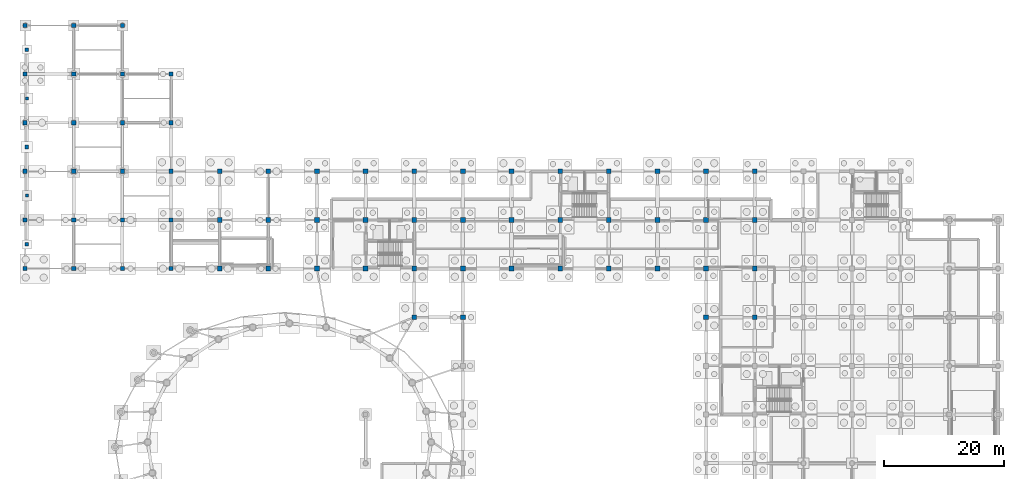
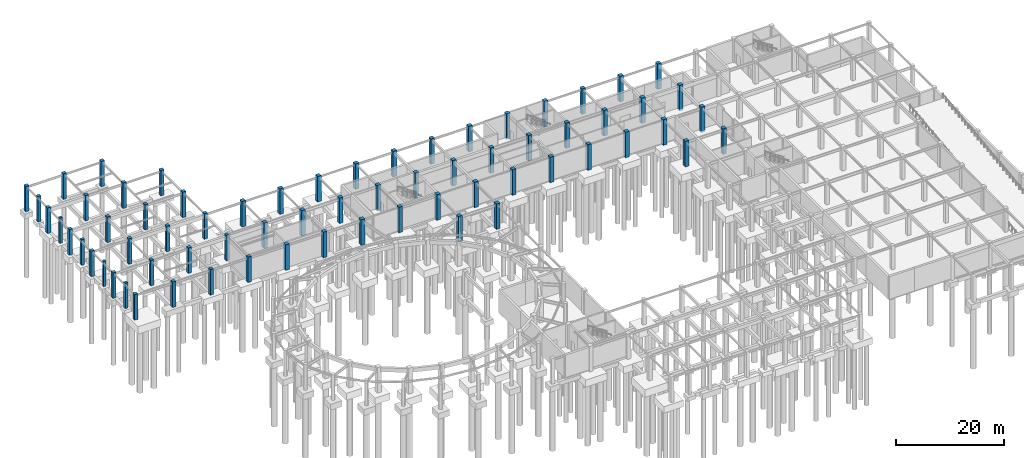
# One storey, part 9 of 26: 68 columns.
"""IFC4 building model written with IfcOpenShell, lengths in metres."""

import ifcopenshell
import ifcopenshell.guid

model = None  # the IFC model being written
_history = None  # IfcOwnerHistory: only IFC2X3 demands one
_inside = {}  # id of a spatial element -> (the spatial element, [elements in it])
_under = {}  # id of a project, library or spatial element -> (it, [spatial elements below it])
_declared = {}  # id of a project -> (the project, [libraries it declares])
_typed = {}  # id of a type object -> (the type object, [elements of that type])
_made_of = {}  # id of a material, layer set ... -> (it, [elements and type objects made of it])


def new_model(schema):
    """Start an empty IFC model of exactly this schema.

    Asked for "IFC4X3", IfcOpenShell would pick the latest addendum, in which some entities
    have other attributes; the version numbers below select the first issue.
    IFC2X3 requires an IfcOwnerHistory on every rooted entity: one is made here for all.
    """
    global model, _history
    if schema == "IFC4X3":
        model = ifcopenshell.file(schema_version=(4, 3, 0, 0))
    else:
        model = ifcopenshell.file(schema=schema)
    _inside.clear()
    _under.clear()
    _declared.clear()
    _typed.clear()
    _made_of.clear()
    _history = None
    if model.schema == "IFC2X3":
        org = make("IfcOrganization", Name="unknown")
        user = make(
            "IfcPersonAndOrganization",
            ThePerson=make("IfcPerson", FamilyName="unknown"),
            TheOrganization=org,
        )
        app = make(
            "IfcApplication",
            ApplicationDeveloper=org,
            Version="unknown",
            ApplicationFullName="unknown",
            ApplicationIdentifier="unknown",
        )
        _history = make(
            "IfcOwnerHistory",
            OwningUser=user,
            OwningApplication=app,
            ChangeAction="ADDED",
            CreationDate=0,
        )
    return model


def make(cls, **values):
    """One entity of the class cls with the attributes given. An attribute that is None is left unset."""
    return model.create_entity(
        cls, **{name: value for name, value in values.items() if value is not None}
    )


def rooted(cls, **values):
    """An entity with a GlobalId (a new one), such as an element, a storey or a relation."""
    return make(cls, GlobalId=ifcopenshell.guid.new(), OwnerHistory=_history, **values)


def si_unit(unit_type, name, prefix=None):
    """IfcSIUnit, for example si_unit("LENGTHUNIT", "METRE", prefix="MILLI")."""
    return make("IfcSIUnit", UnitType=unit_type, Prefix=prefix, Name=name)


def assignment(units):
    """IfcUnitAssignment: the units of a project."""
    return None if units is None else make("IfcUnitAssignment", Units=units)


def point(xyz):
    """IfcCartesianPoint."""
    return None if xyz is None else make("IfcCartesianPoint", Coordinates=xyz)


def direction(xyz):
    """IfcDirection."""
    return None if xyz is None else make("IfcDirection", DirectionRatios=xyz)


def frame(location, z_axis=None, x_axis=None):
    """IfcAxis2Placement3D, a coordinate frame: its origin and axes. An axis left out is left unset."""
    return make(
        "IfcAxis2Placement3D",
        Location=point(location),
        Axis=direction(z_axis),
        RefDirection=direction(x_axis),
    )


def frame_2d(location, x_axis=None):
    """IfcAxis2Placement2D, a coordinate frame in the plane: its origin and x axis."""
    return make(
        "IfcAxis2Placement2D", Location=point(location), RefDirection=direction(x_axis)
    )


def origin():
    """The frame at (0, 0, 0) with its axes left unset."""
    return frame((0.0, 0.0, 0.0))


def origin_2d():
    """The frame at (0, 0) in the plane with its x axis left unset."""
    return frame_2d((0.0, 0.0))


def place(relative_to, where):
    """IfcLocalPlacement: puts the frame where relative to a parent placement (None: the world)."""
    return make(
        "IfcLocalPlacement", PlacementRelTo=relative_to, RelativePlacement=where
    )


def context(
    kind, dimensions, precision=None, world=None, true_north=None, identifier=None
):
    """IfcGeometricRepresentationContext, for example the 3D "Model" context."""
    return make(
        "IfcGeometricRepresentationContext",
        ContextIdentifier=identifier,
        ContextType=kind,
        CoordinateSpaceDimension=dimensions,
        Precision=precision,
        WorldCoordinateSystem=world,
        TrueNorth=true_north,
    )


def subcontext(parent, identifier, kind, view, scale=None):
    """IfcGeometricRepresentationSubContext, for example "Body" below "Model"."""
    return make(
        "IfcGeometricRepresentationSubContext",
        ContextIdentifier=identifier,
        ContextType=kind,
        ParentContext=parent,
        TargetScale=scale,
        TargetView=view,
    )


def project(units=None, contexts=None):
    """IfcProject with its units and contexts."""
    return rooted(
        "IfcProject",
        Name="project",
        RepresentationContexts=contexts,
        UnitsInContext=assignment(units),
    )


def spatial(cls, under=None, at=None, **own):
    """A site, building, storey or space (cls), placed at a placement, below another one or the project."""
    s = rooted(cls, ObjectPlacement=at, **own)
    if under is not None:
        _under.setdefault(under.id(), (under, []))[1].append(s)
    return s


def profile(cls, at=None, kind="AREA", **sizes):
    """A parametric profile (cls). Its sizes go by their IFC names, for example OverallWidth=200.0."""
    return make(cls, ProfileType=kind, Position=at, **sizes)


def rectangle(**sizes):
    """IfcRectangleProfileDef."""
    return profile("IfcRectangleProfileDef", **sizes)


def extrude(swept, where, along, depth):
    """IfcExtrudedAreaSolid: the profile swept, set in the frame where, extruded along a direction by depth."""
    return make(
        "IfcExtrudedAreaSolid",
        SweptArea=swept,
        Position=where,
        ExtrudedDirection=direction(along),
        Depth=depth,
    )


def shape(context_of_items, identifier, shape_type, items):
    """IfcShapeRepresentation: the items that make up one representation, for example the "Body"."""
    return make(
        "IfcShapeRepresentation",
        ContextOfItems=context_of_items,
        RepresentationIdentifier=identifier,
        RepresentationType=shape_type,
        Items=items,
    )


def material(Name=None, Category=None):
    """IfcMaterial."""
    return make("IfcMaterial", Name=Name, Category=Category)


def material_profile(
    of_material, cross_section, Name=None, Category=None, Priority=None
):
    """IfcMaterialProfile: a cross section and its material."""
    return make(
        "IfcMaterialProfile",
        Name=Name,
        Material=of_material,
        Profile=cross_section,
        Priority=Priority,
        Category=Category,
    )


def profile_set(profiles, Name=None, composite=None):
    """IfcMaterialProfileSet."""
    return make(
        "IfcMaterialProfileSet",
        Name=Name,
        MaterialProfiles=profiles,
        CompositeProfile=composite,
    )


def made_of(thing, what):
    """Note that an element or type object is made of a material, layer set ...; save() writes the relation."""
    if what is not None:
        _made_of.setdefault(what.id(), (what, []))[1].append(thing)
    return thing


def type_object(cls, material=None, **own):
    """A type object (cls), such as IfcWallType, which elements share."""
    return made_of(rooted(cls, **own), material)


def element(
    cls,
    number,
    at=None,
    inside=None,
    cuts=None,
    type_object=None,
    material=None,
    context=None,
    identifier="Body",
    shape_type=None,
    held_by="IfcProductDefinitionShape",
    body=None,
    shapes=None,
    **own,
):
    """One element of the class cls, such as IfcWall. Its Tag is "e" and its number.

    at: its placement. inside: the storey or other place that contains it. cuts: it is an
    opening in that element (IfcRelVoidsElement). A single representation is given by context,
    identifier, shape_type and body (its items); several are given by shapes. held_by: the class
    of the entity that holds the representations. save() writes the other relations.
    """
    e = rooted(cls, Tag="e%d" % number, ObjectPlacement=at, **own)
    if body is not None:
        shapes = [shape(context, identifier, shape_type, body)]
    if shapes is not None:
        e.Representation = make(held_by, Representations=shapes)
    if inside is not None:
        _inside.setdefault(inside.id(), (inside, []))[1].append(e)
    if cuts is not None:
        rooted(
            "IfcRelVoidsElement", RelatingBuildingElement=cuts, RelatedOpeningElement=e
        )
    if type_object is not None:
        _typed.setdefault(type_object.id(), (type_object, []))[1].append(e)
    return made_of(e, material)


def aggregate(whole, parts):
    """IfcRelAggregates: a whole, such as a stair, and the parts it consists of."""
    return rooted("IfcRelAggregates", RelatingObject=whole, RelatedObjects=parts)


def save(model, path):
    """Write the relations noted so far, then the file.

    IfcRelAggregates (storeys below a building ...), IfcRelContainedInSpatialStructure (elements
    in a storey), IfcRelDefinesByType, IfcRelAssociatesMaterial and IfcRelDeclares: one each for
    every whole, place, type object, material and project.
    """
    for whole, parts in _under.values():
        aggregate(whole, parts)
    for where, things in _inside.values():
        rooted(
            "IfcRelContainedInSpatialStructure",
            RelatedElements=things,
            RelatingStructure=where,
        )
    for kind, things in _typed.values():
        rooted("IfcRelDefinesByType", RelatedObjects=things, RelatingType=kind)
    for what, things in _made_of.values():
        rooted("IfcRelAssociatesMaterial", RelatedObjects=things, RelatingMaterial=what)
    for by, libraries in _declared.values():
        rooted("IfcRelDeclares", RelatingContext=by, RelatedDefinitions=libraries)
    model.write(path)


model = new_model("IFC4")

# Units and contexts
model_context = context("Model", 3, precision=1e-05, world=origin(), true_north=direction((0.0, 1.0)))
body_context = subcontext(model_context, "Body", "Model", "MODEL_VIEW")
ifc_project = project(units=[si_unit("LENGTHUNIT", "METRE"), si_unit("AREAUNIT", "SQUARE_METRE"), si_unit("VOLUMEUNIT", "CUBIC_METRE"), si_unit("PLANEANGLEUNIT", "RADIAN"), si_unit("MASSUNIT", "GRAM", prefix="KILO")], contexts=[model_context])

# Site, building, storey
site_placement = place(None, origin())
site = spatial("IfcSite", under=ifc_project, at=site_placement, CompositionType="ELEMENT")
building_placement = place(site_placement, origin())
building = spatial("IfcBuilding", under=site, at=building_placement, Name="Parian Resonance Hall", CompositionType="ELEMENT")
storey_placement = place(building_placement, frame((0.0, 0.0, -5.39990234375)))
storey = spatial("IfcBuildingStorey", under=building, at=storey_placement, Name="B1", CompositionType="ELEMENT", Elevation=-5.39990234375)

# Columns
ifc_material_1 = material(Name="Concrete C40/50", Category="concrete")
ifc_material_profile_1 = material_profile(ifc_material_1, rectangle(XDim=0.5, YDim=0.5, at=origin_2d()), Name="RC-COL-500x500")
ifc_profile_set_1 = profile_set([ifc_material_profile_1], Name="Concrete C40/50")
column_type_1 = type_object("IfcColumnType", Name="COL-PIL500", PredefinedType="PILASTER", material=ifc_profile_set_1)
for number, where, z_axis, x_axis, name in (
    (1, (0.300048828125, 85.050048828125, -0.400146484375), (0.0, 0.0, 1.0), (1.0, 0.0, 0.0), "Column PIL-W-10 B1"),
    (2, (0.300048828125, 101.25, -0.400146484375), (0.0, 0.0, 1.0), (1.0, 0.0, 0.0), "Column PIL-W-12 B1"),
):
    element("IfcColumn", number, at=place(storey_placement, frame(where, z_axis=z_axis, x_axis=x_axis)), inside=storey, type_object=column_type_1, Name=name, PredefinedType="PILASTER", context=body_context, shape_type="SweptSolid", body=[
        extrude(rectangle(XDim=0.5, YDim=0.5, at=origin_2d()), origin(), (0.0, 0.0, 1.0), 5.800048828125),
    ])
ifc_material_2 = material(Name="Concrete C40/50", Category="concrete")
ifc_material_profile_2 = material_profile(ifc_material_2, rectangle(XDim=0.60009765625, YDim=0.60009765625, at=origin_2d()), Name="RC-COL-600x600")
ifc_profile_set_2 = profile_set([ifc_material_profile_2], Name="Concrete C40/50")
column_type_2 = type_object("IfcColumnType", Name="COL-PIL600", PredefinedType="PILASTER", material=ifc_profile_set_2)
for number, where, z_axis, x_axis, name in (
    (3, (0.300048828125, 76.949951171875, -0.400146484375), (0.0, 0.0, 1.0), (1.0, 0.0, 0.0), "Column PIL-W-09 B1"),
    (4, (0.300048828125, 93.14990234375, -0.400146484375), (0.0, 0.0, 1.0), (1.0, 0.0, 0.0), "Column PIL-W-11 B1"),
    (5, (0.300048828125, 109.35009765625, -0.400146484375), (0.0, 0.0, 1.0), (1.0, 0.0, 0.0), "Column PIL-W-13 B1"),
):
    element("IfcColumn", number, at=place(storey_placement, frame(where, z_axis=z_axis, x_axis=x_axis)), inside=storey, type_object=column_type_2, Name=name, PredefinedType="PILASTER", context=body_context, shape_type="SweptSolid", body=[
        extrude(rectangle(XDim=0.60009765625, YDim=0.60009765625, at=origin_2d()), origin(), (0.0, 0.0, 1.0), 5.800048828125),
    ])
ifc_material_3 = material(Name="Concrete C40/50", Category="concrete")
ifc_material_profile_3 = material_profile(ifc_material_3, rectangle(XDim=0.699951171875, YDim=0.699951171875, at=origin_2d()), Name="RC-COL-700x700")
ifc_profile_set_3 = profile_set([ifc_material_profile_3], Name="Concrete C40/50")
column_type_3 = type_object("IfcColumnType", Name="COL-RC700", PredefinedType="COLUMN", material=ifc_profile_set_3)
for number, where, z_axis, x_axis, name in (
    (6, (0.0, 72.89990234375, -0.400146484375), (0.0, 0.0, 1.0), (1.0, 0.0, 0.0), "Column G01-10 B1"),
    (7, (0.0, 81.0, -0.400146484375), (0.0, 0.0, 1.0), (1.0, 0.0, 0.0), "Column G01-11 B1"),
    (8, (0.0, 89.10009765625, -0.400146484375), (0.0, 0.0, 1.0), (1.0, 0.0, 0.0), "Column G01-12 B1"),
    (9, (0.0, 97.199951171875, -0.400146484375), (0.0, 0.0, 1.0), (1.0, 0.0, 0.0), "Column G01-13 B1"),
    (10, (0.0, 105.300048828125, -0.400146484375), (0.0, 0.0, 1.0), (1.0, 0.0, 0.0), "Column G01-14 B1"),
    (11, (0.0, 113.39990234375, -0.400146484375), (0.0, 0.0, 1.0), (1.0, 0.0, 0.0), "Column G01-15 B1"),
    (12, (8.10009765625, 72.89990234375, -0.400146484375), (0.0, 0.0, 1.0), (1.0, 0.0, 0.0), "Column G02-10 B1"),
    (13, (8.10009765625, 81.0, -0.400146484375), (0.0, 0.0, 1.0), (1.0, 0.0, 0.0), "Column G02-11 B1"),
    (14, (8.10009765625, 89.10009765625, -0.400146484375), (0.0, 0.0, 1.0), (1.0, 0.0, 0.0), "Column G02-12 B1"),
    (15, (8.10009765625, 97.199951171875, -0.400146484375), (0.0, 0.0, 1.0), (1.0, 0.0, 0.0), "Column G02-13 B1"),
    (16, (8.10009765625, 105.300048828125, -0.400146484375), (0.0, 0.0, 1.0), (1.0, 0.0, 0.0), "Column G02-14 B1"),
    (17, (8.10009765625, 113.39990234375, -0.400146484375), (0.0, 0.0, 1.0), (1.0, 0.0, 0.0), "Column G02-15 B1"),
    (18, (16.199951171875, 72.89990234375, -0.400146484375), (0.0, 0.0, 1.0), (1.0, 0.0, 0.0), "Column G03-10 B1"),
    (19, (16.199951171875, 81.0, -0.400146484375), (0.0, 0.0, 1.0), (1.0, 0.0, 0.0), "Column G03-11 B1"),
    (20, (16.199951171875, 89.10009765625, -0.400146484375), (0.0, 0.0, 1.0), (1.0, 0.0, 0.0), "Column G03-12 B1"),
    (21, (16.199951171875, 97.199951171875, -0.400146484375), (0.0, 0.0, 1.0), (1.0, 0.0, 0.0), "Column G03-13 B1"),
    (22, (16.199951171875, 105.300048828125, -0.400146484375), (0.0, 0.0, 1.0), (1.0, 0.0, 0.0), "Column G03-14 B1"),
    (23, (16.199951171875, 113.39990234375, -0.400146484375), (0.0, 0.0, 1.0), (1.0, 0.0, 0.0), "Column G03-15 B1"),
    (24, (24.300048828125, 72.89990234375, -0.400146484375), (0.0, 0.0, 1.0), (1.0, 0.0, 0.0), "Column G04-10 B1"),
    (25, (24.300048828125, 81.0, -0.400146484375), (0.0, 0.0, 1.0), (1.0, 0.0, 0.0), "Column G04-11 B1"),
    (26, (24.300048828125, 89.10009765625, -0.400146484375), (0.0, 0.0, 1.0), (1.0, 0.0, 0.0), "Column G04-12 B1"),
    (27, (24.300048828125, 97.199951171875, -0.400146484375), (0.0, 0.0, 1.0), (1.0, 0.0, 0.0), "Column G04-13 B1"),
    (28, (24.300048828125, 105.300048828125, -0.400146484375), (0.0, 0.0, 1.0), (1.0, 0.0, 0.0), "Column G04-14 B1"),
):
    element("IfcColumn", number, at=place(storey_placement, frame(where, z_axis=z_axis, x_axis=x_axis)), inside=storey, type_object=column_type_3, Name=name, PredefinedType="COLUMN", context=body_context, shape_type="SweptSolid", body=[
        extrude(rectangle(XDim=0.699951171875, YDim=0.699951171875, at=origin_2d()), origin(), (0.0, 0.0, 1.0), 5.800048828125),
    ])
ifc_material_4 = material(Name="Concrete C40/50", Category="concrete")
ifc_material_profile_4 = material_profile(ifc_material_4, rectangle(XDim=0.800048828125, YDim=0.800048828125, at=origin_2d()), Name="RC-COL-800x800")
ifc_profile_set_4 = profile_set([ifc_material_profile_4], Name="Concrete C40/50")
column_type_4 = type_object("IfcColumnType", Name="COL-RC800", PredefinedType="COLUMN", material=ifc_profile_set_4)
for number, where, z_axis, x_axis, name in (
    (29, (32.39990234375, 72.89990234375, -0.400146484375), (0.0, 0.0, 1.0), (1.0, 0.0, 0.0), "Column G05-10 B1"),
    (30, (32.39990234375, 81.0, -0.400146484375), (0.0, 0.0, 1.0), (1.0, 0.0, 0.0), "Column G05-11 B1"),
    (31, (32.39990234375, 89.10009765625, -0.400146484375), (0.0, 0.0, 1.0), (1.0, 0.0, 0.0), "Column G05-12 B1"),
    (32, (40.5, 72.89990234375, -0.400146484375), (0.0, 0.0, 1.0), (1.0, 0.0, 0.0), "Column G06-10 B1"),
    (33, (40.5, 81.0, -0.400146484375), (0.0, 0.0, 1.0), (1.0, 0.0, 0.0), "Column G06-11 B1"),
    (34, (40.5, 89.10009765625, -0.400146484375), (0.0, 0.0, 1.0), (1.0, 0.0, 0.0), "Column G06-12 B1"),
    (35, (48.60009765625, 72.89990234375, -0.400146484375), (0.0, 0.0, 1.0), (1.0, 0.0, 0.0), "Column G07-10 B1"),
    (36, (48.60009765625, 81.0, -0.400146484375), (0.0, 0.0, 1.0), (1.0, 0.0, 0.0), "Column G07-11 B1"),
    (37, (48.60009765625, 89.10009765625, -0.400146484375), (0.0, 0.0, 1.0), (1.0, 0.0, 0.0), "Column G07-12 B1"),
    (38, (56.699951171875, 72.89990234375, -0.400146484375), (0.0, 0.0, 1.0), (1.0, 0.0, 0.0), "Column G08-10 B1"),
    (39, (56.699951171875, 81.0, -0.400146484375), (0.0, 0.0, 1.0), (1.0, 0.0, 0.0), "Column G08-11 B1"),
    (40, (56.699951171875, 89.10009765625, -0.400146484375), (0.0, 0.0, 1.0), (1.0, 0.0, 0.0), "Column G08-12 B1"),
    (41, (64.800048828125, 64.800048828125, -0.400146484375), (0.0, 0.0, 1.0), (1.0, 0.0, 0.0), "Column G09-09 B1"),
    (42, (64.800048828125, 72.89990234375, -0.400146484375), (0.0, 0.0, 1.0), (1.0, 0.0, 0.0), "Column G09-10 B1"),
    (43, (64.800048828125, 81.0, -0.400146484375), (0.0, 0.0, 1.0), (1.0, 0.0, 0.0), "Column G09-11 B1"),
    (44, (64.800048828125, 89.10009765625, -0.400146484375), (0.0, 0.0, 1.0), (1.0, 0.0, 0.0), "Column G09-12 B1"),
    (45, (72.89990234375, 64.800048828125, -0.400146484375), (0.0, 0.0, 1.0), (1.0, 0.0, 0.0), "Column G10-09 B1"),
    (46, (72.89990234375, 72.89990234375, -0.400146484375), (0.0, 0.0, 1.0), (1.0, 0.0, 0.0), "Column G10-10 B1"),
    (47, (72.89990234375, 81.0, -0.400146484375), (0.0, 0.0, 1.0), (1.0, 0.0, 0.0), "Column G10-11 B1"),
    (48, (72.89990234375, 89.10009765625, -0.400146484375), (0.0, 0.0, 1.0), (1.0, 0.0, 0.0), "Column G10-12 B1"),
    (49, (81.0, 72.89990234375, -0.400146484375), (0.0, 0.0, 1.0), (1.0, 0.0, 0.0), "Column G11-10 B1"),
    (50, (81.0, 81.0, -0.400146484375), (0.0, 0.0, 1.0), (1.0, 0.0, 0.0), "Column G11-11 B1"),
    (51, (81.0, 89.10009765625, -0.400146484375), (0.0, 0.0, 1.0), (1.0, 0.0, 0.0), "Column G11-12 B1"),
    (52, (89.10009765625, 72.89990234375, -0.400146484375), (0.0, 0.0, 1.0), (1.0, 0.0, 0.0), "Column G12-10 B1"),
    (53, (89.10009765625, 81.0, -0.400146484375), (0.0, 0.0, 1.0), (1.0, 0.0, 0.0), "Column G12-11 B1"),
    (54, (89.10009765625, 89.10009765625, -0.400146484375), (0.0, 0.0, 1.0), (1.0, 0.0, 0.0), "Column G12-12 B1"),
    (55, (97.199951171875, 72.89990234375, -0.400146484375), (0.0, 0.0, 1.0), (1.0, 0.0, 0.0), "Column G13-10 B1"),
    (56, (97.199951171875, 81.0, -0.400146484375), (0.0, 0.0, 1.0), (1.0, 0.0, 0.0), "Column G13-11 B1"),
    (57, (97.199951171875, 89.10009765625, -0.400146484375), (0.0, 0.0, 1.0), (1.0, 0.0, 0.0), "Column G13-12 B1"),
    (58, (105.300048828125, 72.89990234375, -0.400146484375), (0.0, 0.0, 1.0), (1.0, 0.0, 0.0), "Column G14-10 B1"),
    (59, (105.300048828125, 81.0, -0.400146484375), (0.0, 0.0, 1.0), (1.0, 0.0, 0.0), "Column G14-11 B1"),
    (60, (105.300048828125, 89.10009765625, -0.400146484375), (0.0, 0.0, 1.0), (1.0, 0.0, 0.0), "Column G14-12 B1"),
    (61, (113.39990234375, 64.800048828125, -0.400146484375), (0.0, 0.0, 1.0), (1.0, 0.0, 0.0), "Column G15-09 B1"),
    (62, (113.39990234375, 72.89990234375, -0.400146484375), (0.0, 0.0, 1.0), (1.0, 0.0, 0.0), "Column G15-10 B1"),
    (63, (113.39990234375, 81.0, -0.400146484375), (0.0, 0.0, 1.0), (1.0, 0.0, 0.0), "Column G15-11 B1"),
    (64, (113.39990234375, 89.10009765625, -0.400146484375), (0.0, 0.0, 1.0), (1.0, 0.0, 0.0), "Column G15-12 B1"),
    (65, (121.5, 64.800048828125, -0.400146484375), (0.0, 0.0, 1.0), (1.0, 0.0, 0.0), "Column G16-09 B1"),
    (66, (121.5, 72.89990234375, -0.400146484375), (0.0, 0.0, 1.0), (1.0, 0.0, 0.0), "Column G16-10 B1"),
    (67, (121.5, 81.0, -0.400146484375), (0.0, 0.0, 1.0), (1.0, 0.0, 0.0), "Column G16-11 B1"),
    (68, (121.5, 89.10009765625, -0.400146484375), (0.0, 0.0, 1.0), (1.0, 0.0, 0.0), "Column G16-12 B1"),
):
    element("IfcColumn", number, at=place(storey_placement, frame(where, z_axis=z_axis, x_axis=x_axis)), inside=storey, type_object=column_type_4, Name=name, PredefinedType="COLUMN", context=body_context, shape_type="SweptSolid", body=[
        extrude(rectangle(XDim=0.800048828125, YDim=0.800048828125, at=origin_2d()), origin(), (0.0, 0.0, 1.0), 5.800048828125),
    ])

save(model, "model.ifc")
